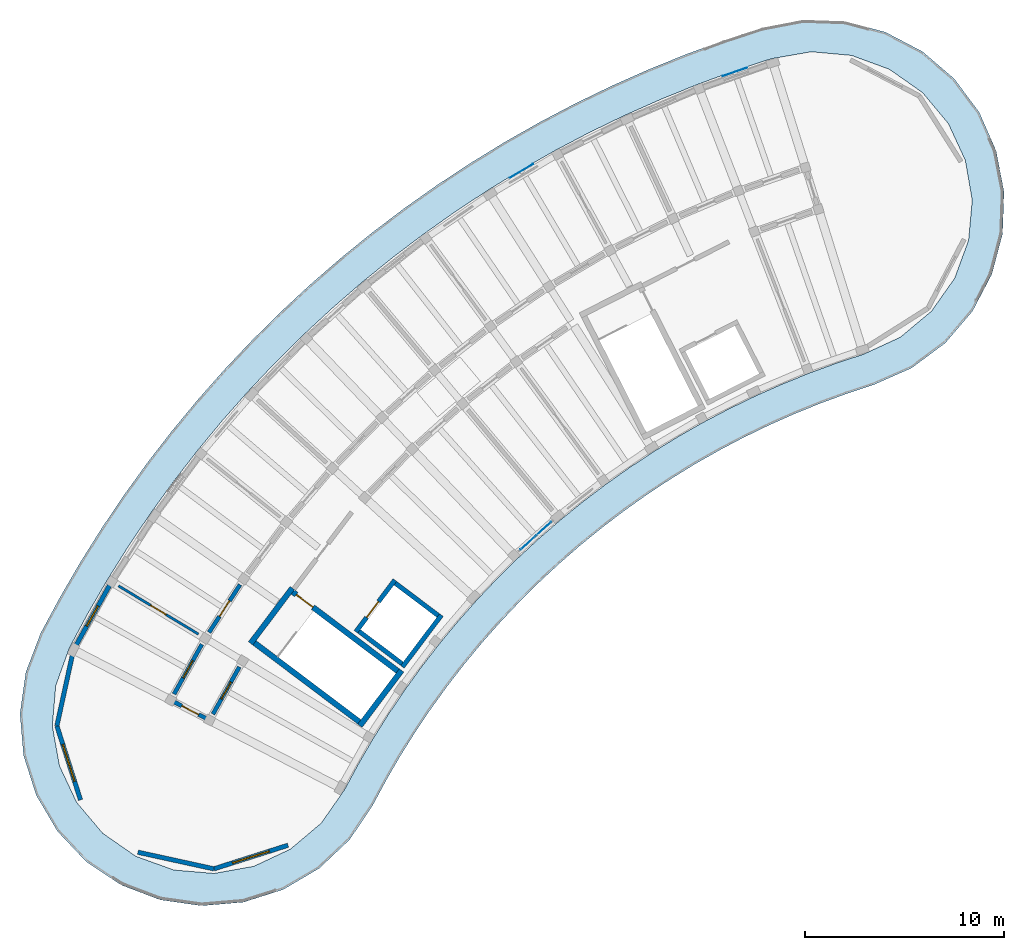
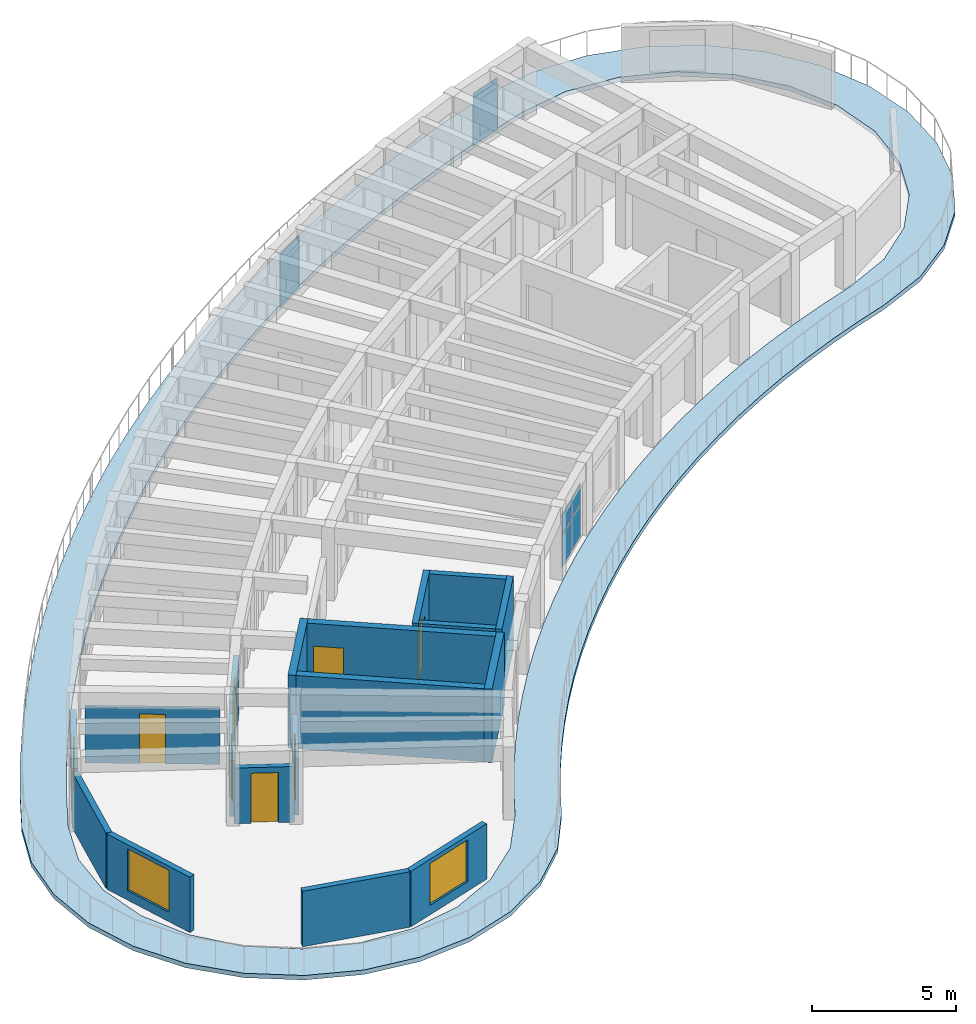
# One storey, part 4 of 9: 18 walls, 7 doors, 6 plates, 3 windows, 1 slab, 10 openings, 1 element without a shape of its own.
"""IFC4 building model written with IfcOpenShell, lengths in metres."""

from ifc_helpers import new_model, si_unit, direction, frame, frame_2d, origin, origin_2d, place, context, subcontext, project, spatial, polyline, rectangle, outline, extrude, material, layer, layer_set, type_object, element, fill, aggregate, save


model = new_model("IFC4")

# Units and contexts
model_context = context("Model", 3, precision=1e-05, world=origin(), true_north=direction((0.0, 1.0)))
body_context = subcontext(model_context, "Body", "Model", "MODEL_VIEW")
ifc_project = project(units=[si_unit("LENGTHUNIT", "METRE"), si_unit("AREAUNIT", "SQUARE_METRE"), si_unit("VOLUMEUNIT", "CUBIC_METRE"), si_unit("PLANEANGLEUNIT", "RADIAN"), si_unit("MASSUNIT", "GRAM", prefix="KILO")], contexts=[model_context])

# Site, building, storey
site_placement = place(None, origin())
site = spatial("IfcSite", under=ifc_project, at=site_placement, CompositionType="ELEMENT")
building_placement = place(site_placement, origin())
building = spatial("IfcBuilding", under=site, at=building_placement, Name="Tanwirah Colonnade Gardens", CompositionType="ELEMENT")
storey_placement = place(building_placement, frame((0.0, 0.0, 49.159912109375)))
storey = spatial("IfcBuildingStorey", under=building, at=storey_placement, Name="L14", CompositionType="ELEMENT", Elevation=49.159912109375)

# Curtain wall, plates
ifc_material_1 = material(Name="Bronze-anodised aluminium and solar-control low-E glass", Category="aluminium")
curtain_wall_type = type_object("IfcCurtainWallType", Name="CW-GDN", PredefinedType="NOTDEFINED", material=ifc_material_1)
curtain_wall_placement = place(storey_placement, origin())
curtain_wall = element("IfcCurtainWall", 1, at=curtain_wall_placement, inside=storey, type_object=curtain_wall_type, Name="Curtain Wall CW-A-L14-IN-09", PredefinedType="NOTDEFINED")
ifc_material_2 = material(Name="Acoustic solar-control low-E double glazing", Category="glass")
ifc_layer_1 = layer(ifc_material_2, 0.031982421875)
ifc_layer_set_1 = layer_set([ifc_layer_1], Name="Acoustic solar-control low-E double glazing")
plate_type_1 = type_object("IfcPlateType", Name="CWP-GLZ32", PredefinedType="CURTAIN_PANEL", material=ifc_layer_set_1)
plate_1_placement = place(storey_placement, frame((35.735595703125, 93.629638671875, 0.070068359375), z_axis=(0.0, 0.0, 1.0), x_axis=(-0.744440162253, -0.667689182798, 0.0)))
plate_1 = element("IfcPlate", 2, at=plate_1_placement, type_object=plate_type_1, Name="CW-GDN panel 1.1", PredefinedType="CURTAIN_PANEL", context=body_context, shape_type="SweptSolid", body=[
    extrude(rectangle(XDim=1.000244140625, YDim=0.031982421875, at=origin_2d()), origin(), (0.0, 0.0, 1.0), 1.35498046875),
])
plate_2_placement = place(storey_placement, frame((35.735595703125, 93.629638671875, 1.4951171875), z_axis=(0.0, 0.0, 1.0), x_axis=(-0.744440162253, -0.667689182798, 0.0)))
plate_2 = element("IfcPlate", 3, at=plate_2_placement, type_object=plate_type_1, Name="CW-GDN panel 1.2", PredefinedType="CURTAIN_PANEL", context=body_context, shape_type="SweptSolid", body=[
    extrude(rectangle(XDim=1.000244140625, YDim=0.031982421875, at=origin_2d()), origin(), (0.0, 0.0, 1.0), 0.789794921875),
])
plate_3_placement = place(storey_placement, frame((34.93896484375, 92.915283203125, 0.070068359375), z_axis=(0.0, 0.0, 1.0), x_axis=(-0.744440162253, -0.667689182798, 0.0)))
plate_3 = element("IfcPlate", 4, at=plate_3_placement, type_object=plate_type_1, Name="CW-GDN panel 2.1", PredefinedType="CURTAIN_PANEL", context=body_context, shape_type="SweptSolid", body=[
    extrude(rectangle(XDim=1.000244140625, YDim=0.031982421875, at=origin_2d()), origin(), (0.0, 0.0, 1.0), 1.35498046875),
])
plate_4_placement = place(storey_placement, frame((34.93896484375, 92.915283203125, 1.4951171875), z_axis=(0.0, 0.0, 1.0), x_axis=(-0.744440162253, -0.667689182798, 0.0)))
plate_4 = element("IfcPlate", 5, at=plate_4_placement, type_object=plate_type_1, Name="CW-GDN panel 2.2", PredefinedType="CURTAIN_PANEL", context=body_context, shape_type="SweptSolid", body=[
    extrude(rectangle(XDim=1.000244140625, YDim=0.031982421875, at=origin_2d()), origin(), (0.0, 0.0, 1.0), 0.789794921875),
])
aggregate(curtain_wall, [plate_1, plate_2, plate_3, plate_4])

# Plates
ifc_material_3 = material(Name="Laser-cut bronze aluminium solar screen plate", Category="aluminium")
ifc_layer_2 = layer(ifc_material_3, 0.01611328125)
ifc_layer_set_2 = layer_set([ifc_layer_2], Name="Laser-cut bronze aluminium solar screen plate")
plate_type_2 = type_object("IfcPlateType", Name="PLT-SCR16", PredefinedType="SHEET", material=ifc_layer_set_2)
plate_5_placement = place(storey_placement, frame((45.35302734375, 116.60107421875, 0.0), z_axis=(0.0, 0.0, 1.0), x_axis=(-0.944248513297, -0.329233572311, 0.0)))
element("IfcPlate", 6, at=plate_5_placement, inside=storey, type_object=plate_type_2, Name="Perforated solar screen plate A-L14-03", PredefinedType="SHEET", context=body_context, shape_type="SweptSolid", body=[
    extrude(rectangle(XDim=1.280029296875, YDim=0.01611328125, at=origin_2d()), origin(), (0.0, 0.0, 1.0), 2.2099609375),
])
plate_6_placement = place(storey_placement, frame((34.622314453125, 111.62255859375, 0.0), z_axis=(0.0, 0.0, 1.0), x_axis=(-0.861136175856, -0.50837435678, 0.0)))
element("IfcPlate", 7, at=plate_6_placement, inside=storey, type_object=plate_type_2, Name="Perforated solar screen plate A-L14-06", PredefinedType="SHEET", context=body_context, shape_type="SweptSolid", body=[
    extrude(rectangle(XDim=1.35009765625, YDim=0.01611328125, at=origin_2d()), origin(), (0.0, 0.0, 1.0), 2.2099609375),
])

# Slab
ifc_material_4 = material(Name="White architectural precast concrete C40/50", Category="concrete")
ifc_layer_3 = layer(ifc_material_4, 0.18994140625)
ifc_layer_set_3 = layer_set([ifc_layer_3], Name="White architectural precast concrete C40/50")
slab_type = type_object("IfcSlabType", Name="SL-BAL-190", PredefinedType="FLOOR", material=ifc_layer_set_3)
slab_placement = place(storey_placement, frame((0.0, 0.0, -0.18994140625)))
element("IfcSlab", 8, at=slab_placement, inside=storey, type_object=slab_type, Name="Block A L14 Continuous White Balcony Ribbon", PredefinedType="FLOOR", context=body_context, shape_type="SweptSolid", body=[
    extrude(outline(polyline([(54.234619140625, 101.713623046875), (55.924072265625, 102.96923828125), (57.291748046875, 104.569091796875), (58.269287109375, 106.433349609375), (58.80712890625, 108.468505859375), (58.87890625, 110.572265625), (58.480712890625, 112.63916015625), (57.632568359375, 114.565673828125), (56.376953125, 116.255126953125), (54.777099609375, 117.622802734375), (52.912841796875, 118.60009765625), (50.877685546875, 119.13818359375), (48.77392578125, 119.2099609375), (46.70703125, 118.811767578125), (44.78515625, 118.1767578125), (42.885009765625, 117.47900390625), (41.009033203125, 116.718994140625), (39.1591796875, 115.8974609375), (37.33740234375, 115.015380859375), (35.545654296875, 114.073974609375), (33.785888671875, 113.07373046875), (32.06005859375, 112.01611328125), (30.3701171875, 110.90234375), (28.717529296875, 109.7333984375), (27.104736328125, 108.510498046875), (25.532958984375, 107.235107421875), (24.00390625, 105.90869140625), (22.51953125, 104.532470703125), (21.08154296875, 103.108154296875), (19.69091796875, 101.63720703125), (18.349853515625, 100.121337890625), (17.059326171875, 98.56201171875), (15.82080078125, 96.9609375), (14.6357421875, 95.320068359375), (13.505615234375, 93.640869140625), (12.431396484375, 91.92529296875), (11.414306640625, 90.17529296875), (10.455322265625, 88.392822265625), (9.7041015625, 86.426513671875), (9.409423828125, 84.34228515625), (9.5859375, 82.24462890625), (10.224853515625, 80.239013671875), (11.2939453125, 78.42578125), (12.73974609375, 76.89599609375), (14.489501953125, 75.72607421875), (16.4560546875, 74.97509765625), (18.540283203125, 74.680419921875), (20.6376953125, 74.85693359375), (22.643310546875, 75.49560546875), (24.45654296875, 76.564697265625), (25.986572265625, 78.010498046875), (27.15625, 79.760498046875), (27.821533203125, 80.997314453125), (28.52734375, 82.21142578125), (29.272705078125, 83.401611328125), (30.056884765625, 84.566650390625), (30.87890625, 85.705078125), (31.73828125, 86.81591796875), (32.633544921875, 87.89794921875), (33.564208984375, 88.94970703125), (34.52880859375, 89.97021484375), (35.526611328125, 90.95849609375), (36.556396484375, 91.9130859375), (37.6171875, 92.83349609375), (38.707763671875, 93.71826171875), (39.826904296875, 94.566650390625), (40.973388671875, 95.3779296875), (42.14599609375, 96.150634765625), (43.34326171875, 96.884521484375), (44.564208984375, 97.578369140625), (45.807373046875, 98.231689453125), (47.0712890625, 98.843505859375), (48.354736328125, 99.41357421875), (49.656494140625, 99.94091796875), (50.974609375, 100.425048828125), (52.30810546875, 100.865478515625), (54.234619140625, 101.713623046875)]), holes=[polyline([(53.668701171875, 103.264892578125), (51.82421875, 102.411376953125), (50.441650390625, 101.954833984375), (50.44091796875, 101.95458984375), (49.0732421875, 101.4521484375), (49.07275390625, 101.451904296875), (47.72216796875, 100.90478515625), (47.7216796875, 100.904541015625), (46.389892578125, 100.313232421875), (46.38916015625, 100.31298828125), (45.077880859375, 99.677978515625), (45.0771484375, 99.677734375), (43.787353515625, 99.0), (43.786865234375, 98.99951171875), (42.52001953125, 98.279541015625), (42.51953125, 98.279296875), (41.277099609375, 97.51806640625), (41.276611328125, 97.517578125), (40.059814453125, 96.7158203125), (40.059326171875, 96.71533203125), (38.869873046875, 95.873779296875), (38.869384765625, 95.87353515625), (37.708251953125, 94.9931640625), (37.707763671875, 94.99267578125), (36.576171875, 94.07470703125), (36.57568359375, 94.07421875), (35.47509765625, 93.119384765625), (35.474609375, 93.118896484375), (34.406005859375, 92.12841796875), (34.405517578125, 92.1279296875), (33.370361328125, 91.1025390625), (33.369873046875, 91.10205078125), (32.368896484375, 90.043212890625), (32.368408203125, 90.042724609375), (31.40283203125, 88.951416015625), (31.402587890625, 88.950927734375), (30.473388671875, 87.828369140625), (30.47314453125, 87.827880859375), (29.58154296875, 86.67529296875), (29.581298828125, 86.6748046875), (28.728271484375, 85.493408203125), (28.727783203125, 85.492919921875), (27.9140625, 84.2841796875), (27.913818359375, 84.28369140625), (27.140380859375, 83.048828125), (27.14013671875, 83.048095703125), (26.407958984375, 81.788330078125), (26.40771484375, 81.787841796875), (25.7177734375, 80.505615234375), (24.556884765625, 78.83740234375), (23.0048828125, 77.52734375), (21.166748046875, 76.663818359375), (19.167724609375, 76.30517578125), (17.14404296875, 76.476318359375), (15.233642578125, 77.16552734375), (13.56640625, 78.325439453125), (12.256591796875, 79.87744140625), (11.392822265625, 81.715576171875), (11.034423828125, 83.714599609375), (11.20556640625, 85.738525390625), (11.89501953125, 87.64990234375), (12.828125, 89.384521484375), (13.818359375, 91.08837890625), (14.8642578125, 92.758544921875), (15.964599609375, 94.393310546875), (17.118408203125, 95.990966796875), (18.32421875, 97.5498046875), (19.58056640625, 99.068115234375), (20.886474609375, 100.5439453125), (22.240234375, 101.97607421875), (23.640380859375, 103.36279296875), (25.085693359375, 104.70263671875), (26.57421875, 105.994140625), (28.1044921875, 107.23583984375), (29.6748046875, 108.42626953125), (31.28369140625, 109.564453125), (32.92919921875, 110.649169921875), (34.609375, 111.6787109375), (36.32275390625, 112.652587890625), (38.067138671875, 113.5693359375), (39.841064453125, 114.427978515625), (41.64208984375, 115.227783203125), (43.468505859375, 115.9677734375), (45.318359375, 116.647216796875), (47.188720703125, 117.264892578125), (49.19091796875, 117.61181640625), (51.213623046875, 117.428955078125), (53.1201171875, 116.728759765625), (54.7802734375, 115.55908203125), (56.081298828125, 113.99951171875), (56.93408203125, 112.156494140625), (57.281005859375, 110.1552734375), (57.09814453125, 108.132568359375), (56.39794921875, 106.22607421875), (55.228271484375, 104.56591796875), (53.668701171875, 103.264892578125)])]), origin(), (0.0, 0.0, 1.0), 0.18994140625),
])

# Wall, opening, window
ifc_material_5 = material(Name="Limestone architectural precast concrete C40/50", Category="masonry")
ifc_layer_4 = layer(ifc_material_5, 0.22509765625)
ifc_layer_set_4 = layer_set([ifc_layer_4], Name="Limestone architectural precast concrete C40/50")
wall_type_1 = type_object("IfcWallType", Name="EW-PC225", PredefinedType="SOLIDWALL", material=ifc_layer_set_4)
wall_1_placement = place(storey_placement, frame((13.917724609375, 90.794921875, 0.0), z_axis=(0.0, 0.0, 1.0), x_axis=(-0.488225442288, -0.872717547379, 0.0)))
wall_1 = element("IfcWall", 9, at=wall_1_placement, inside=storey, type_object=wall_type_1, Name="Block A L14 OUT Precast Facade Wall 14", PredefinedType="SOLIDWALL", context=body_context, shape_type="SweptSolid", body=[
    extrude(rectangle(XDim=3.560791015625, YDim=0.22509765625, at=frame_2d((1.7802734375, 0.0))), origin(), (0.0, 0.0, 1.0), 2.35498046875),
])
opening_1_placement = place(wall_1_placement, frame((1.200439453125, 0.0, 0.550048828125)))
opening_1 = element("IfcOpeningElement", 10, at=opening_1_placement, cuts=wall_1, Name="Opening WIN-U01", PredefinedType="OPENING", context=body_context, shape_type="SweptSolid", body=[
    extrude(rectangle(XDim=1.159912109375, YDim=1.485107421875, at=frame_2d((0.580078125, 0.74267578125))), frame((0.0, 0.12255859375, 0.0), z_axis=(0.0, -1.0, 0.0), x_axis=(1.0, 0.0, 0.0)), (0.0, 0.0, 1.0), 0.2451171875),
])
ifc_material_6 = material(Name="Thermally broken bronze aluminium and solar low-E double glazing", Category="aluminium")
window_type_1 = type_object("IfcWindowType", Name="WIN-U01", PartitioningType="DOUBLE_PANEL_VERTICAL", PredefinedType="WINDOW", material=ifc_material_6)
window_1_placement = place(opening_1_placement, origin())
window_1 = element("IfcWindow", 11, at=window_1_placement, inside=storey, type_object=window_type_1, Name="Facade window A-L14-OUT-14", OverallHeight=1.485107421875, OverallWidth=1.159912109375, PartitioningType="SINGLE_PANEL", PredefinedType="WINDOW", context=body_context, shape_type="SweptSolid", body=[
    extrude(rectangle(XDim=1.159912109375, YDim=1.485107421875, at=frame_2d((0.580078125, 0.74267578125))), frame((0.0, 0.030029296875, 0.0), z_axis=(0.0, -1.0, 0.0), x_axis=(1.0, 0.0, 0.0)), (0.0, 0.0, 1.0), 0.06005859375),
])
fill(opening_1, window_1)

wall_2_placement = place(storey_placement, frame((22.880859375, 77.720947265625, 0.0), z_axis=(0.0, 0.0, 1.0), x_axis=(-0.952839597628, -0.30347438309, 0.0)))
wall_2 = element("IfcWall", 12, at=wall_2_placement, inside=storey, type_object=wall_type_1, Name="Block A L14 END Rounded End Wall 1", PredefinedType="SOLIDWALL", context=body_context, shape_type="SweptSolid", body=[
    extrude(rectangle(XDim=3.908203125, YDim=0.22509765625, at=frame_2d((1.9541015625, 0.0))), origin(), (0.0, 0.0, 1.0), 2.35498046875),
])
opening_2_placement = place(wall_2_placement, frame((0.97900390625, 0.0, 0.39990234375)))
opening_2 = element("IfcOpeningElement", 13, at=opening_2_placement, cuts=wall_2, Name="Opening WIN-END2", PredefinedType="OPENING", context=body_context, shape_type="SweptSolid", body=[
    extrude(rectangle(XDim=1.949951171875, YDim=1.780029296875, at=frame_2d((0.97509765625, 0.89013671875))), frame((0.0, 0.12255859375, 0.0), z_axis=(0.0, -1.0, 0.0), x_axis=(1.0, 0.0, 0.0)), (0.0, 0.0, 1.0), 0.2451171875),
])
window_type_2 = type_object("IfcWindowType", Name="WIN-END2", PartitioningType="TRIPLE_PANEL_VERTICAL", PredefinedType="WINDOW", material=ifc_material_6)
window_2_placement = place(opening_2_placement, origin())
window_2 = element("IfcWindow", 14, at=window_2_placement, inside=storey, type_object=window_type_2, Name="Rounded corner window A-L14-END-1", OverallHeight=1.780029296875, OverallWidth=1.949951171875, PartitioningType="SINGLE_PANEL", PredefinedType="WINDOW", context=body_context, shape_type="SweptSolid", body=[
    extrude(rectangle(XDim=1.949951171875, YDim=1.780029296875, at=frame_2d((0.97509765625, 0.89013671875))), frame((0.0, 0.030029296875, 0.0), z_axis=(0.0, -1.0, 0.0), x_axis=(1.0, 0.0, 0.0)), (0.0, 0.0, 1.0), 0.06005859375),
])
fill(opening_2, window_2)

# Wall
wall_3_placement = place(storey_placement, frame((19.156982421875, 76.534912109375, 0.0), z_axis=(0.0, 0.0, 1.0), x_axis=(-0.976923649148, 0.213588819314, 0.0)))
element("IfcWall", 15, at=wall_3_placement, inside=storey, type_object=wall_type_1, Name="Block A L14 END Rounded End Wall 2", PredefinedType="SOLIDWALL", context=body_context, shape_type="SweptSolid", body=[
    extrude(rectangle(XDim=3.907958984375, YDim=0.22509765625, at=frame_2d((1.9541015625, 0.0))), origin(), (0.0, 0.0, 1.0), 2.35498046875),
])

# Wall, opening, window
wall_4_placement = place(storey_placement, frame((12.449951171875, 80.00146484375, 0.0), z_axis=(0.0, 0.0, 1.0), x_axis=(-0.30347438309, 0.952839597628, 0.0)))
wall_4 = element("IfcWall", 16, at=wall_4_placement, inside=storey, type_object=wall_type_1, Name="Block A L14 END Rounded End Wall 4", PredefinedType="SOLIDWALL", context=body_context, shape_type="SweptSolid", body=[
    extrude(rectangle(XDim=3.908203125, YDim=0.22509765625, at=frame_2d((1.9541015625, 0.0))), origin(), (0.0, 0.0, 1.0), 2.35498046875),
])
opening_3_placement = place(wall_4_placement, frame((0.97900390625, 0.0, 0.39990234375)))
opening_3 = element("IfcOpeningElement", 17, at=opening_3_placement, cuts=wall_4, Name="Opening WIN-END2", PredefinedType="OPENING", context=body_context, shape_type="SweptSolid", body=[
    extrude(rectangle(XDim=1.949951171875, YDim=1.780029296875, at=frame_2d((0.97509765625, 0.89013671875))), frame((0.0, 0.12255859375, 0.0), z_axis=(0.0, -1.0, 0.0), x_axis=(1.0, 0.0, 0.0)), (0.0, 0.0, 1.0), 0.2451171875),
])
window_3_placement = place(opening_3_placement, origin())
window_3 = element("IfcWindow", 18, at=window_3_placement, inside=storey, type_object=window_type_2, Name="Rounded corner window A-L14-END-4", OverallHeight=1.780029296875, OverallWidth=1.949951171875, PartitioningType="SINGLE_PANEL", PredefinedType="WINDOW", context=body_context, shape_type="SweptSolid", body=[
    extrude(rectangle(XDim=1.949951171875, YDim=1.780029296875, at=frame_2d((0.97509765625, 0.89013671875))), frame((0.0, 0.030029296875, 0.0), z_axis=(0.0, -1.0, 0.0), x_axis=(1.0, 0.0, 0.0)), (0.0, 0.0, 1.0), 0.06005859375),
])
fill(opening_3, window_3)

# Wall
wall_5_placement = place(storey_placement, frame((11.263916015625, 83.725341796875, 0.0), z_axis=(0.0, 0.0, 1.0), x_axis=(0.213575784865, 0.976926498832, 0.0)))
element("IfcWall", 19, at=wall_5_placement, inside=storey, type_object=wall_type_1, Name="Block A L14 END Rounded End Wall 5", PredefinedType="SOLIDWALL", context=body_context, shape_type="SweptSolid", body=[
    extrude(rectangle(XDim=3.908203125, YDim=0.22509765625, at=frame_2d((1.9541015625, 0.0))), origin(), (0.0, 0.0, 1.0), 2.35498046875),
])

# Wall, opening, door
ifc_material_7 = material(Name="Precast concrete C40/50", Category="concrete")
ifc_layer_5 = layer(ifc_material_7, 0.205078125)
ifc_layer_set_5 = layer_set([ifc_layer_5], Name="Precast concrete C40/50")
wall_type_2 = type_object("IfcWallType", Name="IW-CORR205", PredefinedType="PARTITIONING", material=ifc_layer_set_5)
wall_6_placement = place(storey_placement, frame((20.47412109375, 90.822265625, 0.0), z_axis=(0.0, 0.0, 1.0), x_axis=(-0.544643612649, -0.838667595178, 0.0)))
wall_6 = element("IfcWall", 20, at=wall_6_placement, inside=storey, type_object=wall_type_2, Name="Block A L14 OUT Corridor Wall 13", PredefinedType="PARTITIONING", context=body_context, shape_type="SweptSolid", body=[
    extrude(rectangle(XDim=2.863037109375, YDim=0.205078125, at=frame_2d((1.431640625, 0.0))), origin(), (0.0, 0.0, 1.0), 2.3701171875),
])
opening_4_placement = place(wall_6_placement, frame((0.966552734375, 0.0, 0.0)))
opening_4 = element("IfcOpeningElement", 21, at=opening_4_placement, cuts=wall_6, Name="Opening L14-AD786", PredefinedType="OPENING", context=body_context, shape_type="SweptSolid", body=[
    extrude(rectangle(XDim=0.929931640625, YDim=2.1201171875, at=frame_2d((0.46484375, 1.06005859375))), frame((0.0, 0.112548828125, 0.0), z_axis=(0.0, -1.0, 0.0), x_axis=(1.0, 0.0, 0.0)), (0.0, 0.0, 1.0), 0.22509765625),
])
ifc_material_8 = material(Name="Solid oak fire-resisting apartment entrance door")
door_type_1 = type_object("IfcDoorType", Name="ID-FLT093", OperationType="NOTDEFINED", PredefinedType="DOOR", material=ifc_material_8)
door_1_placement = place(opening_4_placement, origin())
door_1 = element("IfcDoor", 22, at=door_1_placement, inside=storey, type_object=door_type_1, Name="Apartment corridor door L14-AD786", OperationType="SINGLE_SWING_RIGHT", OverallHeight=2.1201171875, OverallWidth=0.929931640625, PredefinedType="DOOR", context=body_context, shape_type="SweptSolid", body=[
    extrude(rectangle(XDim=0.929931640625, YDim=2.1201171875, at=frame_2d((0.46484375, 1.06005859375))), frame((0.0, 0.02490234375, 0.0), z_axis=(0.0, -1.0, 0.0), x_axis=(1.0, 0.0, 0.0)), (0.0, 0.0, 1.0), 0.050048828125),
])
fill(opening_4, door_1)

wall_7_placement = place(storey_placement, frame((18.55322265625, 87.822021484375, 0.0), z_axis=(0.0, 0.0, 1.0), x_axis=(-0.488211211273, -0.872725508501, 0.0)))
wall_7 = element("IfcWall", 23, at=wall_7_placement, inside=storey, type_object=wall_type_2, Name="Block A L14 OUT Corridor Wall 14", PredefinedType="PARTITIONING", context=body_context, shape_type="SweptSolid", body=[
    extrude(rectangle(XDim=2.86279296875, YDim=0.205078125, at=frame_2d((1.431396484375, 0.0))), origin(), (0.0, 0.0, 1.0), 2.3701171875),
])
opening_5_placement = place(wall_7_placement, frame((0.9365234375, 0.0, 0.0)))
opening_5 = element("IfcOpeningElement", 24, at=opening_5_placement, cuts=wall_7, Name="Opening L14-AD788", PredefinedType="OPENING", context=body_context, shape_type="SweptSolid", body=[
    extrude(rectangle(XDim=0.989990234375, YDim=2.159912109375, at=frame_2d((0.4951171875, 1.080078125))), frame((0.0, 0.112548828125, 0.0), z_axis=(0.0, -1.0, 0.0), x_axis=(1.0, 0.0, 0.0)), (0.0, 0.0, 1.0), 0.22509765625),
])
door_type_2 = type_object("IfcDoorType", Name="ID-FLT099", OperationType="NOTDEFINED", PredefinedType="DOOR", material=ifc_material_8)
door_2_placement = place(opening_5_placement, origin())
door_2 = element("IfcDoor", 25, at=door_2_placement, inside=storey, type_object=door_type_2, Name="Apartment corridor door L14-AD788", OperationType="SINGLE_SWING_LEFT", OverallHeight=2.159912109375, OverallWidth=0.989990234375, PredefinedType="DOOR", context=body_context, shape_type="SweptSolid", body=[
    extrude(rectangle(XDim=0.989990234375, YDim=2.159912109375, at=frame_2d((0.4951171875, 1.080078125))), frame((0.0, 0.02490234375, 0.0), z_axis=(0.0, -1.0, 0.0), x_axis=(1.0, 0.0, 0.0)), (0.0, 0.0, 1.0), 0.050048828125),
])
fill(opening_5, door_2)

wall_8_placement = place(storey_placement, frame((20.436767578125, 86.685302734375, 0.0), z_axis=(0.0, 0.0, 1.0), x_axis=(-0.48819576874, -0.872734147025, 0.0)))
wall_8 = element("IfcWall", 26, at=wall_8_placement, inside=storey, type_object=wall_type_2, Name="Block A L14 IN Corridor Wall 14", PredefinedType="PARTITIONING", context=body_context, shape_type="SweptSolid", body=[
    extrude(rectangle(XDim=2.718017578125, YDim=0.205078125, at=frame_2d((1.35888671875, 0.0))), origin(), (0.0, 0.0, 1.0), 2.3701171875),
])
opening_6_placement = place(wall_8_placement, frame((0.864013671875, 0.0, 0.0)))
opening_6 = element("IfcOpeningElement", 27, at=opening_6_placement, cuts=wall_8, Name="Opening L14-AD789", PredefinedType="OPENING", context=body_context, shape_type="SweptSolid", body=[
    extrude(rectangle(XDim=0.989990234375, YDim=2.159912109375, at=frame_2d((0.4951171875, 1.080078125))), frame((0.0, 0.112548828125, 0.0), z_axis=(0.0, -1.0, 0.0), x_axis=(1.0, 0.0, 0.0)), (0.0, 0.0, 1.0), 0.22509765625),
])
door_3_placement = place(opening_6_placement, origin())
door_3 = element("IfcDoor", 28, at=door_3_placement, inside=storey, type_object=door_type_2, Name="Apartment corridor door L14-AD789", OperationType="SINGLE_SWING_RIGHT", OverallHeight=2.159912109375, OverallWidth=0.989990234375, PredefinedType="DOOR", context=body_context, shape_type="SweptSolid", body=[
    extrude(rectangle(XDim=0.989990234375, YDim=2.159912109375, at=frame_2d((0.4951171875, 1.080078125))), frame((0.0, 0.02490234375, 0.0), z_axis=(0.0, -1.0, 0.0), x_axis=(1.0, 0.0, 0.0)), (0.0, 0.0, 1.0), 0.050048828125),
])
fill(opening_6, door_3)

wall_9_placement = place(storey_placement, frame((18.89453125, 84.03076171875, 0.0), z_axis=(0.0, 0.0, 1.0), x_axis=(-0.888371375666, 0.459125580749, 0.0)))
wall_9 = element("IfcWall", 29, at=wall_9_placement, inside=storey, type_object=wall_type_2, Name="Block A L14 CE Corner Suite Corridor Wall", PredefinedType="PARTITIONING", context=body_context, shape_type="SweptSolid", body=[
    extrude(rectangle(XDim=2.099853515625, YDim=0.205078125, at=frame_2d((1.0498046875, 0.0))), origin(), (0.0, 0.0, 1.0), 2.3701171875),
])
opening_7_placement = place(wall_9_placement, frame((0.570068359375, 0.0, 0.0)))
opening_7 = element("IfcOpeningElement", 30, at=opening_7_placement, cuts=wall_9, Name="Opening L14-CD791", PredefinedType="OPENING", context=body_context, shape_type="SweptSolid", body=[
    extrude(rectangle(XDim=0.949951171875, YDim=2.1298828125, at=frame_2d((0.47509765625, 1.06494140625))), frame((0.0, 0.112548828125, 0.0), z_axis=(0.0, -1.0, 0.0), x_axis=(1.0, 0.0, 0.0)), (0.0, 0.0, 1.0), 0.22509765625),
])
door_type_3 = type_object("IfcDoorType", Name="ID-FLT095", OperationType="NOTDEFINED", PredefinedType="DOOR", material=ifc_material_8)
door_4_placement = place(opening_7_placement, origin())
door_4 = element("IfcDoor", 31, at=door_4_placement, inside=storey, type_object=door_type_3, Name="Corner suite entrance door L14-CD791", OperationType="SINGLE_SWING_RIGHT", OverallHeight=2.1298828125, OverallWidth=0.949951171875, PredefinedType="DOOR", context=body_context, shape_type="SweptSolid", body=[
    extrude(rectangle(XDim=0.949951171875, YDim=2.1298828125, at=frame_2d((0.47509765625, 1.06494140625))), frame((0.0, 0.02490234375, 0.0), z_axis=(0.0, -1.0, 0.0), x_axis=(1.0, 0.0, 0.0)), (0.0, 0.0, 1.0), 0.050048828125),
])
fill(opening_7, door_4)

ifc_material_9 = material(Name="Moisture-resistant gypsum stud partition")
ifc_layer_6 = layer(ifc_material_9, 0.125)
ifc_layer_set_6 = layer_set([ifc_layer_6], Name="Moisture-resistant gypsum stud partition")
wall_type_3 = type_object("IfcWallType", Name="IW-INT125", PredefinedType="PARTITIONING", material=ifc_layer_set_6)
wall_10_placement = place(storey_placement, frame((18.381591796875, 88.334228515625, 0.0), z_axis=(0.0, 0.0, 1.0), x_axis=(-0.856165473929, 0.516701733356, 0.0)))
wall_10 = element("IfcWall", 32, at=wall_10_placement, inside=storey, type_object=wall_type_3, Name="Block A L14 Radial Partition 13", PredefinedType="PARTITIONING", context=body_context, shape_type="SweptSolid", body=[
    extrude(rectangle(XDim=4.699951171875, YDim=0.125, at=frame_2d((2.35009765625, 0.0))), origin(), (0.0, 0.0, 1.0), 2.3701171875),
])
opening_8_placement = place(wall_10_placement, frame((1.89501953125, 0.0, 0.0)))
opening_8 = element("IfcOpeningElement", 33, at=opening_8_placement, cuts=wall_10, Name="Opening L14-RD787", PredefinedType="OPENING", context=body_context, shape_type="SweptSolid", body=[
    extrude(rectangle(XDim=0.909912109375, YDim=2.10009765625, at=frame_2d((0.455078125, 1.050048828125))), frame((0.0, 0.072509765625, 0.0), z_axis=(0.0, -1.0, 0.0), x_axis=(1.0, 0.0, 0.0)), (0.0, 0.0, 1.0), 0.14501953125),
])
ifc_material_10 = material(Name="Painted hardwood internal room door", Category="wood")
door_type_4 = type_object("IfcDoorType", Name="ID-RM091", OperationType="NOTDEFINED", PredefinedType="DOOR", material=ifc_material_10)
door_5_placement = place(opening_8_placement, origin())
door_5 = element("IfcDoor", 34, at=door_5_placement, inside=storey, type_object=door_type_4, Name="Internal apartment door L14-RD787", OperationType="SINGLE_SWING_RIGHT", OverallHeight=2.10009765625, OverallWidth=0.909912109375, PredefinedType="DOOR", context=body_context, shape_type="SweptSolid", body=[
    extrude(rectangle(XDim=0.909912109375, YDim=2.10009765625, at=frame_2d((0.455078125, 1.050048828125))), frame((0.0, 0.02490234375, 0.0), z_axis=(0.0, -1.0, 0.0), x_axis=(1.0, 0.0, 0.0)), (0.0, 0.0, 1.0), 0.050048828125),
])
fill(opening_8, door_5)

# Walls
ifc_material_11 = material(Name="Concrete C45/55", Category="concrete")
ifc_layer_7 = layer(ifc_material_11, 0.280029296875)
ifc_layer_set_7 = layer_set([ifc_layer_7], Name="Concrete C45/55")
wall_type_4 = type_object("IfcWallType", Name="SW-CORE280", PredefinedType="SHEAR", material=ifc_layer_set_7)
wall_11_placement = place(storey_placement, frame((21.19873046875, 87.8974609375, 0.0), z_axis=(0.0, 0.0, 1.0), x_axis=(0.798639633744, -0.601809550782, 0.0)))
element("IfcWall", 35, at=wall_11_placement, inside=storey, type_object=wall_type_4, Name="CORE-A2 L14 Stair Shaft Shear Wall LEFT", PredefinedType="SHEAR", context=body_context, shape_type="SweptSolid", body=[
    extrude(rectangle(XDim=6.599853515625, YDim=0.280029296875, at=frame_2d((3.2998046875, 0.0))), origin(), (0.0, 0.0, 1.0), 3.110107421875),
])
for number, where, z_axis, x_axis, name in (
    (36, (26.497314453125, 83.7294921875, 0.0), (0.0, 0.0, 1.0), (0.601794470585, 0.798650997102, 0.0), "CORE-A2 L14 Stair Shaft Shear Wall FAR"),
    (37, (21.002685546875, 87.869873046875, 0.0), (0.0, 0.0, 1.0), (0.601794470585, 0.798650997102, 0.0), "CORE-A2 L14 Stair Shaft Shear Wall NEAR"),
):
    element("IfcWall", number, at=place(storey_placement, frame(where, z_axis=z_axis, x_axis=x_axis)), inside=storey, type_object=wall_type_4, Name=name, PredefinedType="SHEAR", context=body_context, shape_type="SweptSolid", body=[
        extrude(rectangle(XDim=3.47998046875, YDim=0.280029296875, at=frame_2d((1.739990234375, 0.0))), origin(), (0.0, 0.0, 1.0), 3.110107421875),
    ])

# Wall, opening, door
wall_12_placement = place(storey_placement, frame((23.12451171875, 90.453125, 0.0), z_axis=(0.0, 0.0, 1.0), x_axis=(0.798639633744, -0.601809550782, 0.0)))
wall_12 = element("IfcWall", 38, at=wall_12_placement, inside=storey, type_object=wall_type_4, Name="CORE-A2 L14 Stair Shaft Shear Wall RIGHT", PredefinedType="SHEAR", context=body_context, shape_type="SweptSolid", body=[
    extrude(rectangle(XDim=6.599853515625, YDim=0.280029296875, at=frame_2d((3.2998046875, 0.0))), origin(), (0.0, 0.0, 1.0), 3.110107421875),
])
opening_9_placement = place(wall_12_placement, frame((0.219970703125, 0.0, 0.0)))
opening_9 = element("IfcOpeningElement", 39, at=opening_9_placement, cuts=wall_12, Name="Opening L14-SD048", PredefinedType="OPENING", context=body_context, shape_type="SweptSolid", body=[
    extrude(rectangle(XDim=1.050048828125, YDim=2.14990234375, at=frame_2d((0.52490234375, 1.074951171875))), frame((0.0, 0.14990234375, 0.0), z_axis=(0.0, -1.0, 0.0), x_axis=(1.0, 0.0, 0.0)), (0.0, 0.0, 1.0), 0.300048828125),
])
ifc_material_12 = material(Name="Steel fire-resisting stair enclosure door", Category="steel")
door_type_5 = type_object("IfcDoorType", Name="ID-ST105", OperationType="NOTDEFINED", PredefinedType="DOOR", material=ifc_material_12)
door_6_placement = place(opening_9_placement, origin())
door_6 = element("IfcDoor", 40, at=door_6_placement, inside=storey, type_object=door_type_5, Name="CORE-A2 L14 Stair Fire Door L14-SD048", OperationType="SINGLE_SWING_LEFT", OverallHeight=2.14990234375, OverallWidth=1.050048828125, PredefinedType="DOOR", context=body_context, shape_type="SweptSolid", body=[
    extrude(rectangle(XDim=1.050048828125, YDim=2.14990234375, at=frame_2d((0.52490234375, 1.074951171875))), frame((0.0, 0.02490234375, 0.0), z_axis=(0.0, -1.0, 0.0), x_axis=(1.0, 0.0, 0.0)), (0.0, 0.0, 1.0), 0.050048828125),
])
fill(opening_9, door_6)

ifc_layer_8 = layer(ifc_material_11, 0.22998046875)
ifc_layer_set_8 = layer_set([ifc_layer_8], Name="Concrete C45/55")
wall_type_5 = type_object("IfcWallType", Name="SW-LIFT230", PredefinedType="SHEAR", material=ifc_layer_set_8)
wall_13_placement = place(storey_placement, frame((26.2939453125, 88.452880859375, 0.0), z_axis=(0.0, 0.0, 1.0), x_axis=(0.601819781152, 0.798631924615, 0.0)))
wall_13 = element("IfcWall", 41, at=wall_13_placement, inside=storey, type_object=wall_type_5, Name="CORE-A2 L14 Lift Shaft Wall FRONT", PredefinedType="SHEAR", context=body_context, shape_type="SweptSolid", body=[
    extrude(rectangle(XDim=3.260009765625, YDim=0.22998046875, at=frame_2d((1.6298828125, 0.0))), origin(), (0.0, 0.0, 1.0), 3.110107421875),
])
opening_10_placement = place(wall_13_placement, frame((0.89990234375, 0.0, 0.0)))
opening_10 = element("IfcOpeningElement", 42, at=opening_10_placement, cuts=wall_13, Name="Opening L14-LD-PL-A2", PredefinedType="OPENING", context=body_context, shape_type="SweptSolid", body=[
    extrude(rectangle(XDim=1.0, YDim=2.14990234375, at=frame_2d((0.5, 1.074951171875))), frame((0.0, 0.125, 0.0), z_axis=(0.0, -1.0, 0.0), x_axis=(1.0, 0.0, 0.0)), (0.0, 0.0, 1.0), 0.25),
])
ifc_material_13 = material(Name="Bronze stainless steel sliding lift landing door", Category="steel")
door_type_6 = type_object("IfcDoorType", Name="LD-PS10", OperationType="DOUBLE_DOOR_SLIDING", PredefinedType="DOOR", material=ifc_material_13)
door_7_placement = place(opening_10_placement, origin())
door_7 = element("IfcDoor", 43, at=door_7_placement, inside=storey, type_object=door_type_6, Name="Lift PL-A2 L14 Sliding Landing Door", OperationType="DOUBLE_DOOR_SLIDING", OverallHeight=2.14990234375, OverallWidth=1.0, PredefinedType="DOOR", context=body_context, shape_type="SweptSolid", body=[
    extrude(rectangle(XDim=1.0, YDim=2.14990234375, at=frame_2d((0.5, 1.074951171875))), frame((0.0, 0.02490234375, 0.0), z_axis=(0.0, -1.0, 0.0), x_axis=(1.0, 0.0, 0.0)), (0.0, 0.0, 1.0), 0.050048828125),
])
fill(opening_10, door_7)

# Walls
wall_14_placement = place(storey_placement, frame((28.634033203125, 86.689697265625, 0.0), z_axis=(0.0, 0.0, 1.0), x_axis=(0.601819781152, 0.798631924615, 0.0)))
element("IfcWall", 44, at=wall_14_placement, inside=storey, type_object=wall_type_5, Name="CORE-A2 L14 Lift Shaft Wall BACK", PredefinedType="SHEAR", context=body_context, shape_type="SweptSolid", body=[
    extrude(rectangle(XDim=3.260009765625, YDim=0.22998046875, at=frame_2d((1.6298828125, 0.0))), origin(), (0.0, 0.0, 1.0), 3.110107421875),
])
for number, where, z_axis, x_axis, name in (
    (45, (26.455078125, 88.4755859375, 0.0), (0.0, 0.0, 1.0), (0.798608971494, -0.601850239387, 0.0), "CORE-A2 L14 Lift Shaft Wall SIDEA"),
    (46, (28.278564453125, 90.8955078125, 0.0), (0.0, 0.0, 1.0), (0.798608971494, -0.601850239387, 0.0), "CORE-A2 L14 Lift Shaft Wall SIDEB"),
):
    element("IfcWall", number, at=place(storey_placement, frame(where, z_axis=z_axis, x_axis=x_axis)), inside=storey, type_object=wall_type_5, Name=name, PredefinedType="SHEAR", context=body_context, shape_type="SweptSolid", body=[
        extrude(rectangle(XDim=2.699951171875, YDim=0.22998046875, at=frame_2d((1.35009765625, 0.0))), origin(), (0.0, 0.0, 1.0), 3.110107421875),
    ])

save(model, "model.ifc")
